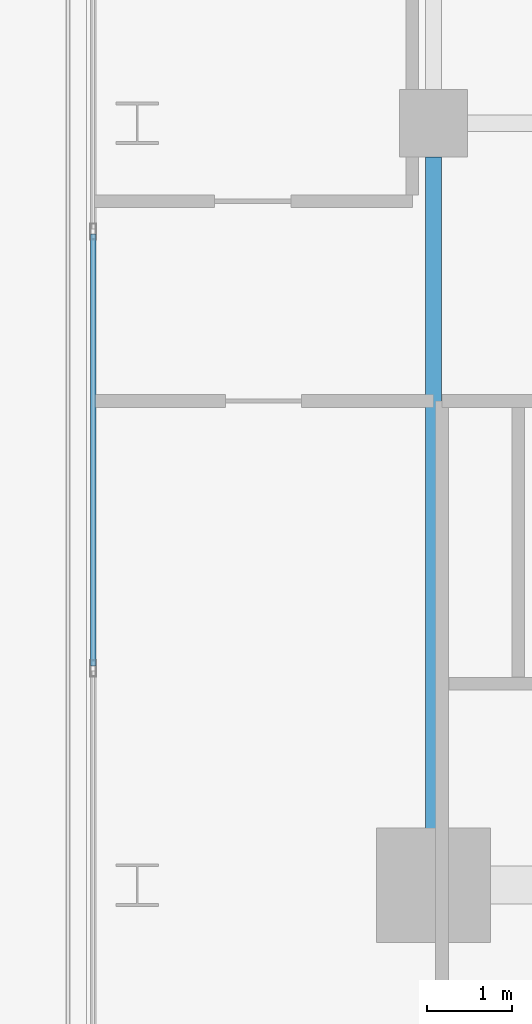
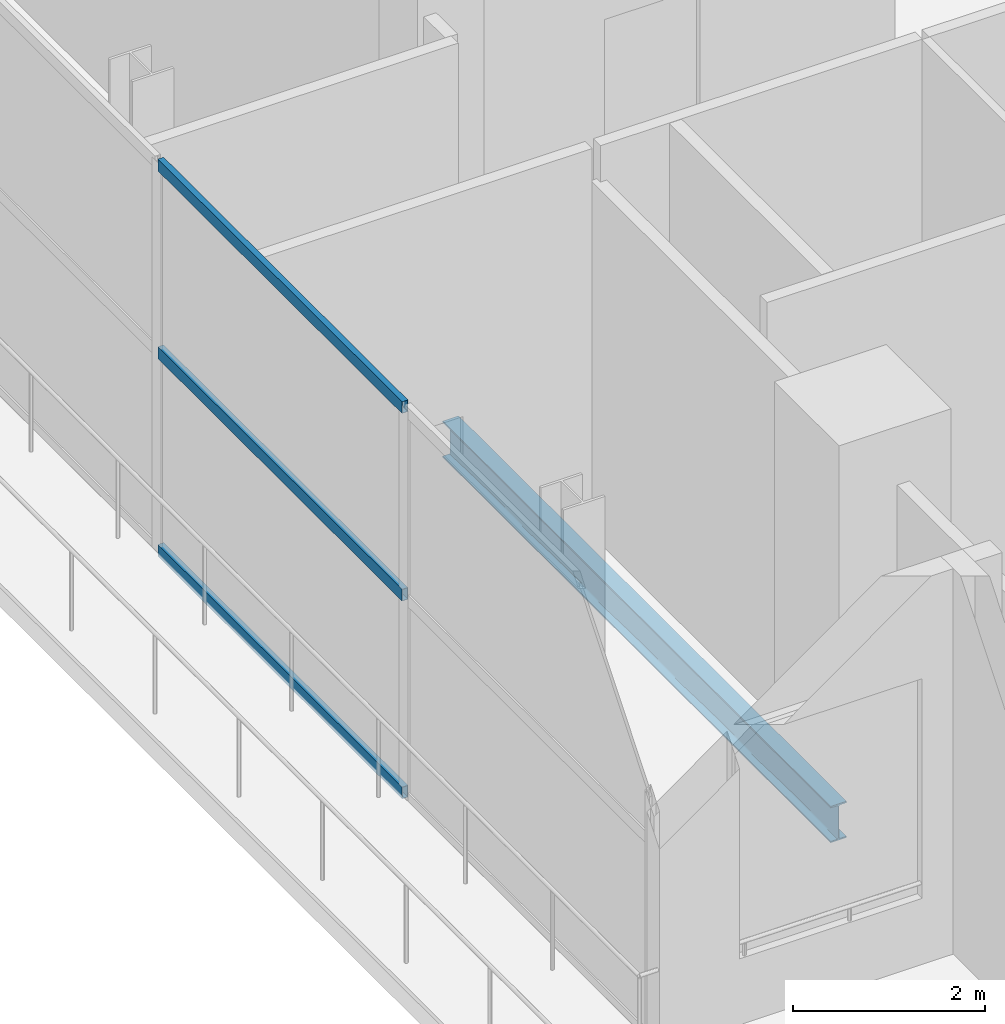
# One storey, part 3 of 19: 3 members, 1 beam, 1 element without a shape of its own.
"""IFC4 building model written with IfcOpenShell, lengths in metres."""

import ifcopenshell
import ifcopenshell.guid

model = None  # the IFC model being written
_history = None  # IfcOwnerHistory: only IFC2X3 demands one
_inside = {}  # id of a spatial element -> (the spatial element, [elements in it])
_under = {}  # id of a project, library or spatial element -> (it, [spatial elements below it])
_declared = {}  # id of a project -> (the project, [libraries it declares])
_typed = {}  # id of a type object -> (the type object, [elements of that type])
_made_of = {}  # id of a material, layer set ... -> (it, [elements and type objects made of it])


def new_model(schema):
    """Start an empty IFC model of exactly this schema.

    Asked for "IFC4X3", IfcOpenShell would pick the latest addendum, in which some entities
    have other attributes; the version numbers below select the first issue.
    IFC2X3 requires an IfcOwnerHistory on every rooted entity: one is made here for all.
    """
    global model, _history
    if schema == "IFC4X3":
        model = ifcopenshell.file(schema_version=(4, 3, 0, 0))
    else:
        model = ifcopenshell.file(schema=schema)
    _inside.clear()
    _under.clear()
    _declared.clear()
    _typed.clear()
    _made_of.clear()
    _history = None
    if model.schema == "IFC2X3":
        org = make("IfcOrganization", Name="unknown")
        user = make(
            "IfcPersonAndOrganization",
            ThePerson=make("IfcPerson", FamilyName="unknown"),
            TheOrganization=org,
        )
        app = make(
            "IfcApplication",
            ApplicationDeveloper=org,
            Version="unknown",
            ApplicationFullName="unknown",
            ApplicationIdentifier="unknown",
        )
        _history = make(
            "IfcOwnerHistory",
            OwningUser=user,
            OwningApplication=app,
            ChangeAction="ADDED",
            CreationDate=0,
        )
    return model


def make(cls, **values):
    """One entity of the class cls with the attributes given. An attribute that is None is left unset."""
    return model.create_entity(
        cls, **{name: value for name, value in values.items() if value is not None}
    )


def rooted(cls, **values):
    """An entity with a GlobalId (a new one), such as an element, a storey or a relation."""
    return make(cls, GlobalId=ifcopenshell.guid.new(), OwnerHistory=_history, **values)


def si_unit(unit_type, name, prefix=None):
    """IfcSIUnit, for example si_unit("LENGTHUNIT", "METRE", prefix="MILLI")."""
    return make("IfcSIUnit", UnitType=unit_type, Prefix=prefix, Name=name)


def assignment(units):
    """IfcUnitAssignment: the units of a project."""
    return None if units is None else make("IfcUnitAssignment", Units=units)


def point(xyz):
    """IfcCartesianPoint."""
    return None if xyz is None else make("IfcCartesianPoint", Coordinates=xyz)


def direction(xyz):
    """IfcDirection."""
    return None if xyz is None else make("IfcDirection", DirectionRatios=xyz)


def frame(location, z_axis=None, x_axis=None):
    """IfcAxis2Placement3D, a coordinate frame: its origin and axes. An axis left out is left unset."""
    return make(
        "IfcAxis2Placement3D",
        Location=point(location),
        Axis=direction(z_axis),
        RefDirection=direction(x_axis),
    )


def frame_2d(location, x_axis=None):
    """IfcAxis2Placement2D, a coordinate frame in the plane: its origin and x axis."""
    return make(
        "IfcAxis2Placement2D", Location=point(location), RefDirection=direction(x_axis)
    )


def origin():
    """The frame at (0, 0, 0) with its axes left unset."""
    return frame((0.0, 0.0, 0.0))


def origin_2d():
    """The frame at (0, 0) in the plane with its x axis left unset."""
    return frame_2d((0.0, 0.0))


def place(relative_to, where):
    """IfcLocalPlacement: puts the frame where relative to a parent placement (None: the world)."""
    return make(
        "IfcLocalPlacement", PlacementRelTo=relative_to, RelativePlacement=where
    )


def context(
    kind, dimensions, precision=None, world=None, true_north=None, identifier=None
):
    """IfcGeometricRepresentationContext, for example the 3D "Model" context."""
    return make(
        "IfcGeometricRepresentationContext",
        ContextIdentifier=identifier,
        ContextType=kind,
        CoordinateSpaceDimension=dimensions,
        Precision=precision,
        WorldCoordinateSystem=world,
        TrueNorth=true_north,
    )


def subcontext(parent, identifier, kind, view, scale=None):
    """IfcGeometricRepresentationSubContext, for example "Body" below "Model"."""
    return make(
        "IfcGeometricRepresentationSubContext",
        ContextIdentifier=identifier,
        ContextType=kind,
        ParentContext=parent,
        TargetScale=scale,
        TargetView=view,
    )


def project(units=None, contexts=None):
    """IfcProject with its units and contexts."""
    return rooted(
        "IfcProject",
        Name="project",
        RepresentationContexts=contexts,
        UnitsInContext=assignment(units),
    )


def spatial(cls, under=None, at=None, **own):
    """A site, building, storey or space (cls), placed at a placement, below another one or the project."""
    s = rooted(cls, ObjectPlacement=at, **own)
    if under is not None:
        _under.setdefault(under.id(), (under, []))[1].append(s)
    return s


def profile(cls, at=None, kind="AREA", **sizes):
    """A parametric profile (cls). Its sizes go by their IFC names, for example OverallWidth=200.0."""
    return make(cls, ProfileType=kind, Position=at, **sizes)


def hollow_rectangle(**sizes):
    """IfcRectangleHollowProfileDef."""
    return profile("IfcRectangleHollowProfileDef", **sizes)


def i_section(**sizes):
    """IfcIShapeProfileDef."""
    return profile("IfcIShapeProfileDef", **sizes)


def extrude(swept, where, along, depth):
    """IfcExtrudedAreaSolid: the profile swept, set in the frame where, extruded along a direction by depth."""
    return make(
        "IfcExtrudedAreaSolid",
        SweptArea=swept,
        Position=where,
        ExtrudedDirection=direction(along),
        Depth=depth,
    )


def shape(context_of_items, identifier, shape_type, items):
    """IfcShapeRepresentation: the items that make up one representation, for example the "Body"."""
    return make(
        "IfcShapeRepresentation",
        ContextOfItems=context_of_items,
        RepresentationIdentifier=identifier,
        RepresentationType=shape_type,
        Items=items,
    )


def material(Name=None, Category=None):
    """IfcMaterial."""
    return make("IfcMaterial", Name=Name, Category=Category)


def layer(
    of_material, thickness, ventilated=None, Name=None, Category=None, Priority=None
):
    """IfcMaterialLayer: one layer of a wall or slab, of a material (None: an air gap)."""
    return make(
        "IfcMaterialLayer",
        Material=of_material,
        LayerThickness=thickness,
        IsVentilated=ventilated,
        Name=Name,
        Category=Category,
        Priority=Priority,
    )


def layer_set(layers, Name=None):
    """IfcMaterialLayerSet."""
    return make("IfcMaterialLayerSet", MaterialLayers=layers, LayerSetName=Name)


def material_profile(
    of_material, cross_section, Name=None, Category=None, Priority=None
):
    """IfcMaterialProfile: a cross section and its material."""
    return make(
        "IfcMaterialProfile",
        Name=Name,
        Material=of_material,
        Profile=cross_section,
        Priority=Priority,
        Category=Category,
    )


def profile_set(profiles, Name=None, composite=None):
    """IfcMaterialProfileSet."""
    return make(
        "IfcMaterialProfileSet",
        Name=Name,
        MaterialProfiles=profiles,
        CompositeProfile=composite,
    )


def made_of(thing, what):
    """Note that an element or type object is made of a material, layer set ...; save() writes the relation."""
    if what is not None:
        _made_of.setdefault(what.id(), (what, []))[1].append(thing)
    return thing


def type_object(cls, material=None, **own):
    """A type object (cls), such as IfcWallType, which elements share."""
    return made_of(rooted(cls, **own), material)


def element(
    cls,
    number,
    at=None,
    inside=None,
    cuts=None,
    type_object=None,
    material=None,
    context=None,
    identifier="Body",
    shape_type=None,
    held_by="IfcProductDefinitionShape",
    body=None,
    shapes=None,
    **own,
):
    """One element of the class cls, such as IfcWall. Its Tag is "e" and its number.

    at: its placement. inside: the storey or other place that contains it. cuts: it is an
    opening in that element (IfcRelVoidsElement). A single representation is given by context,
    identifier, shape_type and body (its items); several are given by shapes. held_by: the class
    of the entity that holds the representations. save() writes the other relations.
    """
    e = rooted(cls, Tag="e%d" % number, ObjectPlacement=at, **own)
    if body is not None:
        shapes = [shape(context, identifier, shape_type, body)]
    if shapes is not None:
        e.Representation = make(held_by, Representations=shapes)
    if inside is not None:
        _inside.setdefault(inside.id(), (inside, []))[1].append(e)
    if cuts is not None:
        rooted(
            "IfcRelVoidsElement", RelatingBuildingElement=cuts, RelatedOpeningElement=e
        )
    if type_object is not None:
        _typed.setdefault(type_object.id(), (type_object, []))[1].append(e)
    return made_of(e, material)


def aggregate(whole, parts):
    """IfcRelAggregates: a whole, such as a stair, and the parts it consists of."""
    return rooted("IfcRelAggregates", RelatingObject=whole, RelatedObjects=parts)


def save(model, path):
    """Write the relations noted so far, then the file.

    IfcRelAggregates (storeys below a building ...), IfcRelContainedInSpatialStructure (elements
    in a storey), IfcRelDefinesByType, IfcRelAssociatesMaterial and IfcRelDeclares: one each for
    every whole, place, type object, material and project.
    """
    for whole, parts in _under.values():
        aggregate(whole, parts)
    for where, things in _inside.values():
        rooted(
            "IfcRelContainedInSpatialStructure",
            RelatedElements=things,
            RelatingStructure=where,
        )
    for kind, things in _typed.values():
        rooted("IfcRelDefinesByType", RelatedObjects=things, RelatingType=kind)
    for what, things in _made_of.values():
        rooted("IfcRelAssociatesMaterial", RelatedObjects=things, RelatingMaterial=what)
    for by, libraries in _declared.values():
        rooted("IfcRelDeclares", RelatingContext=by, RelatedDefinitions=libraries)
    model.write(path)


model = new_model("IFC4")

# Units and contexts
model_context = context("Model", 3, precision=1e-05, world=origin(), true_north=direction((0.0, 1.0)))
body_context = subcontext(model_context, "Body", "Model", "MODEL_VIEW")
ifc_project = project(units=[si_unit("LENGTHUNIT", "METRE"), si_unit("AREAUNIT", "SQUARE_METRE"), si_unit("VOLUMEUNIT", "CUBIC_METRE"), si_unit("PLANEANGLEUNIT", "RADIAN"), si_unit("MASSUNIT", "GRAM", prefix="KILO")], contexts=[model_context])

# Site, building, storey
site_placement = place(None, origin())
site = spatial("IfcSite", under=ifc_project, at=site_placement, CompositionType="ELEMENT")
building_placement = place(site_placement, origin())
building = spatial("IfcBuilding", under=site, at=building_placement, Name="Maruvema Waterfront Hotel and Observation Tower", CompositionType="ELEMENT")
storey_placement = place(building_placement, frame((0.0, 0.0, 359.10009765625)))
storey = spatial("IfcBuildingStorey", under=building, at=storey_placement, Name="L88", CompositionType="ELEMENT", Elevation=359.10009765625)

# Curtain wall, members
ifc_material_1 = material(Name="Anodised bronze aluminium and solar-control low-E IGU", Category="aluminium")
ifc_layer = layer(ifc_material_1, 0.159912109375, Name="Observation Crown Structural Glazed Curtain Wall System CW-06")
ifc_layer_set = layer_set([ifc_layer], Name="Anodised bronze aluminium and solar-control low-E IGU")
curtain_wall_type = type_object("IfcCurtainWallType", Name="Observation Crown Structural Glazed Curtain Wall System CW-06", PredefinedType="USERDEFINED", material=ifc_layer_set)
curtain_wall_placement = place(storey_placement, origin())
curtain_wall = element("IfcCurtainWall", 1, at=curtain_wall_placement, inside=storey, type_object=curtain_wall_type, Name="L88 Curtain Wall CW-L88-W", ObjectType="UNITISED CURTAIN WALL", PredefinedType="USERDEFINED")
ifc_material_2 = material(Name="Anodised architectural bronze aluminium", Category="aluminium")
ifc_material_profile_1 = material_profile(ifc_material_2, hollow_rectangle(XDim=0.070068359375, YDim=0.14990234375, WallThickness=0.00390625, at=origin_2d()), Name="ALU-T70x150")
ifc_profile_set_1 = profile_set([ifc_material_profile_1], Name="Anodised architectural bronze aluminium")
member_type = type_object("IfcMemberType", Name="Curtain Wall Horizontal Transom ALU-T70x150", PredefinedType="USERDEFINED", material=ifc_profile_set_1)
member_1_placement = place(storey_placement, frame((21.179931640625, 34.68994140625, 0.02978515625), z_axis=(0.0, -1.0, 0.0), x_axis=(1.0, 0.0, 0.0)))
member_1 = element("IfcMember", 2, at=member_1_placement, type_object=member_type, Name="CW-06 transom 4.1", ObjectType="TRANSOM", PredefinedType="USERDEFINED", context=body_context, shape_type="SweptSolid", body=[
    extrude(hollow_rectangle(XDim=0.070068359375, YDim=0.14990234375, WallThickness=0.00390625, at=origin_2d()), origin(), (0.0, 0.0, 1.0), 5.099853515625),
])
member_2_placement = place(storey_placement, frame((21.179931640625, 34.68994140625, 2.5498046875), z_axis=(0.0, -1.0, 0.0), x_axis=(1.0, 0.0, 0.0)))
member_2 = element("IfcMember", 3, at=member_2_placement, type_object=member_type, Name="CW-06 transom 4.2", ObjectType="TRANSOM", PredefinedType="USERDEFINED", context=body_context, shape_type="SweptSolid", body=[
    extrude(hollow_rectangle(XDim=0.070068359375, YDim=0.14990234375, WallThickness=0.00390625, at=origin_2d()), origin(), (0.0, 0.0, 1.0), 5.099853515625),
])
member_3_placement = place(storey_placement, frame((21.179931640625, 34.68994140625, 4.93994140625), z_axis=(0.0, -1.0, 0.0), x_axis=(1.0, 0.0, 0.0)))
member_3 = element("IfcMember", 4, at=member_3_placement, type_object=member_type, Name="CW-06 transom 4.3", ObjectType="TRANSOM", PredefinedType="USERDEFINED", context=body_context, shape_type="SweptSolid", body=[
    extrude(hollow_rectangle(XDim=0.070068359375, YDim=0.14990234375, WallThickness=0.00390625, at=origin_2d()), origin(), (0.0, 0.0, 1.0), 5.099853515625),
])
aggregate(curtain_wall, [member_1, member_2, member_3])

# Beam
ifc_material_3 = material(Name="Steel ASTM A572 Grade 50", Category="steel")
ifc_material_profile_2 = material_profile(ifc_material_3, i_section(OverallWidth=0.19189453125, OverallDepth=0.462890625, WebThickness=0.010498046875, FlangeThickness=0.017578125, FilletRadius=0.014892578125, at=origin_2d()), Name="W460x89.0")
ifc_profile_set_2 = profile_set([ifc_material_profile_2], Name="Steel ASTM A572 Grade 50")
beam_type = type_object("IfcBeamType", Name="Primary Floor Girder W460x89.0", PredefinedType="BEAM", material=ifc_profile_set_2)
beam_placement = place(storey_placement, frame((25.199951171875, 27.5, -0.49169921875), z_axis=(0.0, 1.0, 0.0), x_axis=(-1.0, 0.0, 0.0)))
element("IfcBeam", 5, at=beam_placement, inside=storey, type_object=beam_type, Name="L88 Floor Girder NS-01", PredefinedType="BEAM", context=body_context, shape_type="SweptSolid", body=[
    extrude(i_section(OverallWidth=0.19189453125, OverallDepth=0.462890625, WebThickness=0.010498046875, FlangeThickness=0.017578125, FilletRadius=0.014892578125, at=origin_2d()), origin(), (0.0, 0.0, 1.0), 8.10009765625),
])

save(model, "model.ifc")
